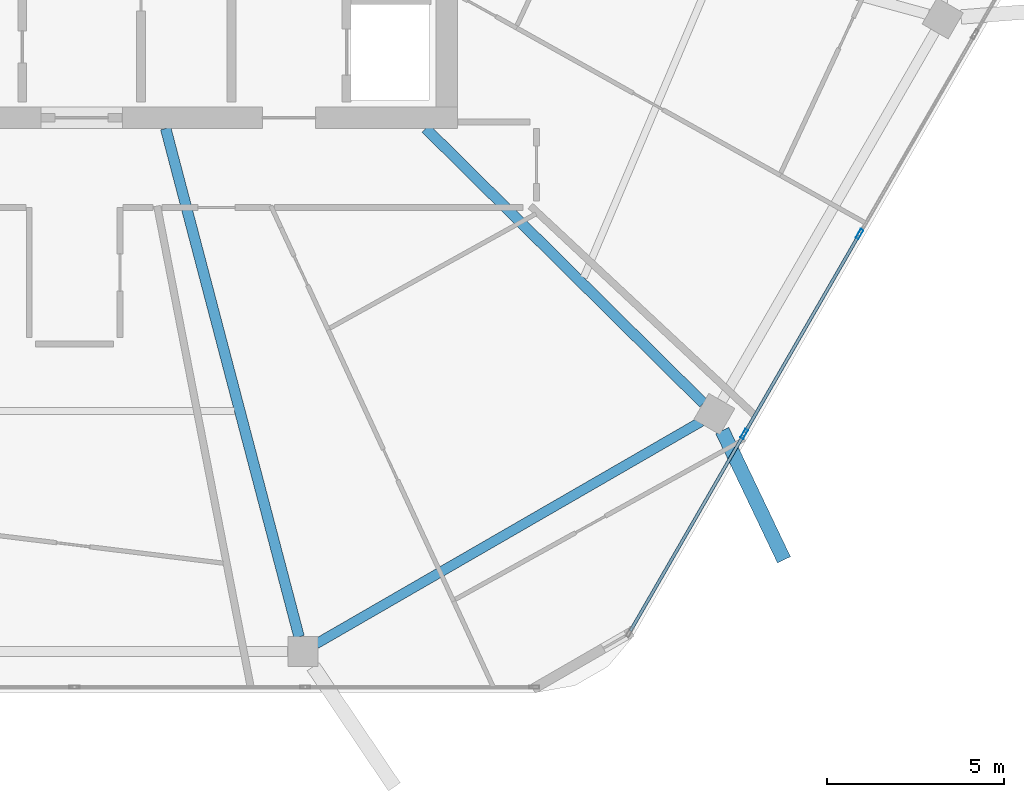
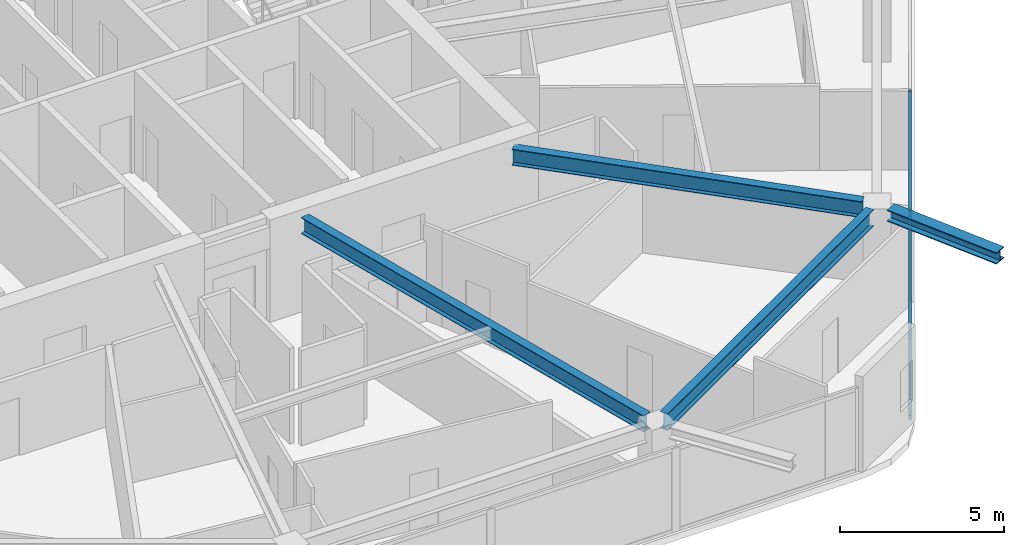
# One storey, part 8 of 26: 6 members, 4 beams, 1 element without a shape of its own.
"""IFC4 building model written with IfcOpenShell, lengths in metres."""

from ifc_helpers import new_model, si_unit, direction, frame, origin, origin_2d, place, context, subcontext, project, spatial, hollow_rectangle, i_section, extrude, material, material_profile, profile_set, type_object, element, aggregate, save


model = new_model("IFC4")

# Units and contexts
model_context = context("Model", 3, precision=1e-05, world=origin(), true_north=direction((0.0, 1.0)))
body_context = subcontext(model_context, "Body", "Model", "MODEL_VIEW")
ifc_project = project(units=[si_unit("LENGTHUNIT", "METRE"), si_unit("AREAUNIT", "SQUARE_METRE"), si_unit("VOLUMEUNIT", "CUBIC_METRE"), si_unit("PLANEANGLEUNIT", "RADIAN"), si_unit("MASSUNIT", "GRAM", prefix="KILO")], contexts=[model_context])

# Site, building, storey
site_placement = place(None, origin())
site = spatial("IfcSite", under=ifc_project, at=site_placement, CompositionType="ELEMENT")
building_placement = place(site_placement, origin())
building = spatial("IfcBuilding", under=site, at=building_placement, Name="Zuhravey Tower", CompositionType="ELEMENT")
storey_placement = place(building_placement, frame((0.0, 0.0, 273.0)))
storey = spatial("IfcBuildingStorey", under=building, at=storey_placement, Name="L69", CompositionType="ELEMENT", Elevation=273.0)

# Curtain wall, members
ifc_material_1 = material(Name="Thermally broken anodised aluminium", Category="aluminium")
curtain_wall_type = type_object("IfcCurtainWallType", Name="Zone 3-4 High-Rise Curtain Wall CW4", PredefinedType="NOTDEFINED", material=ifc_material_1)
curtain_wall_placement = place(storey_placement, origin())
curtain_wall = element("IfcCurtainWall", 1, at=curtain_wall_placement, inside=storey, type_object=curtain_wall_type, Name="L69 CW4 CW-L69-F6-1", PredefinedType="NOTDEFINED")
ifc_material_2 = material(Name="Anodised aluminium", Category="aluminium")
ifc_material_profile_1 = material_profile(ifc_material_2, hollow_rectangle(XDim=0.090087890625, YDim=0.284912109375, WallThickness=0.0048828125, at=origin_2d()), Name="ALU-RHS-90x285x5")
ifc_profile_set_1 = profile_set([ifc_material_profile_1], Name="Anodised aluminium")
member_type_1 = type_object("IfcMemberType", Name="Curtain-Wall Mullion 90x180", PredefinedType="MULLION", material=ifc_profile_set_1)
member_1_placement = place(storey_placement, frame((58.138671875, 19.21826171875, 0.0), z_axis=(0.0, 0.0, 1.0), x_axis=(0.866024851021, -0.500000957414, 0.0)))
member_1 = element("IfcMember", 2, at=member_1_placement, type_object=member_type_1, Name="CW4 mullion 3", PredefinedType="MULLION", context=body_context, shape_type="SweptSolid", body=[
    extrude(hollow_rectangle(XDim=0.090087890625, YDim=0.284912109375, WallThickness=0.0048828125, at=origin_2d()), origin(), (0.0, 0.0, 1.0), 3.1220703125),
])
member_2_placement = place(storey_placement, frame((54.885498046875, 13.58349609375, 0.0), z_axis=(0.0, 0.0, 1.0), x_axis=(0.866024851021, -0.500000957414, 0.0)))
member_2 = element("IfcMember", 3, at=member_2_placement, type_object=member_type_1, Name="CW4 mullion 4", PredefinedType="MULLION", context=body_context, shape_type="SweptSolid", body=[
    extrude(hollow_rectangle(XDim=0.090087890625, YDim=0.284912109375, WallThickness=0.0048828125, at=origin_2d()), origin(), (0.0, 0.0, 1.0), 3.1220703125),
])
ifc_material_profile_2 = material_profile(ifc_material_2, hollow_rectangle(XDim=0.090087890625, YDim=0.14990234375, WallThickness=0.0048828125, at=origin_2d()), Name="ALU-RHS-90x150x5")
ifc_profile_set_2 = profile_set([ifc_material_profile_2], Name="Anodised aluminium")
member_type_2 = type_object("IfcMemberType", Name="Curtain-Wall Transom 90x150", PredefinedType="USERDEFINED", material=ifc_profile_set_2)
member_3_placement = place(storey_placement, frame((58.1162109375, 19.17919921875, 0.044921875), z_axis=(-0.500014493347, -0.866017035885, 0.0), x_axis=(0.866017035885, -0.500014493347, 0.0)))
member_3 = element("IfcMember", 4, at=member_3_placement, type_object=member_type_2, Name="CW4 transom 3.1", ObjectType="TRANSOM", PredefinedType="USERDEFINED", context=body_context, shape_type="SweptSolid", body=[
    extrude(hollow_rectangle(XDim=0.090087890625, YDim=0.14990234375, WallThickness=0.0048828125, at=origin_2d()), origin(), (0.0, 0.0, 1.0), 6.416259765625),
])
member_4_placement = place(storey_placement, frame((58.1162109375, 19.17919921875, 3.076904296875), z_axis=(-0.500014493347, -0.866017035885, 0.0), x_axis=(0.866017035885, -0.500014493347, 0.0)))
member_4 = element("IfcMember", 5, at=member_4_placement, type_object=member_type_2, Name="CW4 transom 3.2", ObjectType="TRANSOM", PredefinedType="USERDEFINED", context=body_context, shape_type="SweptSolid", body=[
    extrude(hollow_rectangle(XDim=0.090087890625, YDim=0.14990234375, WallThickness=0.0048828125, at=origin_2d()), origin(), (0.0, 0.0, 1.0), 6.416259765625),
])
member_5_placement = place(storey_placement, frame((54.863037109375, 13.544677734375, 0.044921875), z_axis=(-0.499980071345, -0.866036909293, 0.0), x_axis=(0.866036909293, -0.499980071345, 0.0)))
member_5 = element("IfcMember", 6, at=member_5_placement, type_object=member_type_2, Name="CW4 transom 4.1", ObjectType="TRANSOM", PredefinedType="USERDEFINED", context=body_context, shape_type="SweptSolid", body=[
    extrude(hollow_rectangle(XDim=0.090087890625, YDim=0.14990234375, WallThickness=0.0048828125, at=origin_2d()), origin(), (0.0, 0.0, 1.0), 6.371337890625),
])
member_6_placement = place(storey_placement, frame((54.863037109375, 13.544677734375, 3.076904296875), z_axis=(-0.499980071345, -0.866036909293, 0.0), x_axis=(0.866036909293, -0.499980071345, 0.0)))
member_6 = element("IfcMember", 7, at=member_6_placement, type_object=member_type_2, Name="CW4 transom 4.2", ObjectType="TRANSOM", PredefinedType="USERDEFINED", context=body_context, shape_type="SweptSolid", body=[
    extrude(hollow_rectangle(XDim=0.090087890625, YDim=0.14990234375, WallThickness=0.0048828125, at=origin_2d()), origin(), (0.0, 0.0, 1.0), 6.371337890625),
])
aggregate(curtain_wall, [member_1, member_2, member_3, member_4, member_5, member_6])

# Beams
ifc_material_3 = material(Name="Steel SM460", Category="steel")
ifc_material_profile_3 = material_profile(ifc_material_3, i_section(OverallWidth=0.406982421875, OverallDepth=0.427978515625, WebThickness=0.02001953125, FlangeThickness=0.034912109375, at=origin_2d()), Name="H-428x407x20x35")
ifc_profile_set_3 = profile_set([ifc_material_profile_3], Name="Steel SM460")
beam_type_1 = type_object("IfcBeamType", Name="Exoskeleton Node Tie Beam H428x407", PredefinedType="BEAM", material=ifc_profile_set_3)
beam_1_placement = place(storey_placement, frame((54.267578125, 13.676513671875, 3.3359375), z_axis=(0.430986955836, -0.902358157219, 0.0), x_axis=(0.902358157219, 0.430986955836, 0.0)))
element("IfcBeam", 8, at=beam_1_placement, inside=storey, type_object=beam_type_1, Name="L69 Exoskeleton Node Tie NT1-11", PredefinedType="BEAM", context=body_context, shape_type="SweptSolid", body=[
    extrude(i_section(OverallWidth=0.406982421875, OverallDepth=0.427978515625, WebThickness=0.02001953125, FlangeThickness=0.034912109375, at=origin_2d()), origin(), (0.0, 0.0, 1.0), 4.038330078125),
])
ifc_material_4 = material(Name="Steel SM355", Category="steel")
ifc_material_profile_4 = material_profile(ifc_material_4, i_section(OverallWidth=0.280029296875, OverallDepth=0.6201171875, WebThickness=0.011962890625, FlangeThickness=0.02001953125, at=origin_2d()), Name="H-620x280x12x20")
ifc_profile_set_4 = profile_set([ifc_material_profile_4], Name="Steel SM355")
beam_type_2 = type_object("IfcBeamType", Name="Perimeter Ring Beam H620x280", PredefinedType="BEAM", material=ifc_profile_set_4)
beam_2_placement = place(storey_placement, frame((42.8115234375, 7.660400390625, 3.239990234375), z_axis=(0.866018312875, 0.500012281615, 0.0), x_axis=(-0.500012281615, 0.866018312875, 0.0)))
element("IfcBeam", 9, at=beam_2_placement, inside=storey, type_object=beam_type_2, Name="L69 PB3 BM-L69-PB-10", PredefinedType="BEAM", context=body_context, shape_type="SweptSolid", body=[
    extrude(i_section(OverallWidth=0.280029296875, OverallDepth=0.6201171875, WebThickness=0.011962890625, FlangeThickness=0.02001953125, at=origin_2d()), origin(), (0.0, 0.0, 1.0), 12.541748046875),
])
ifc_material_profile_5 = material_profile(ifc_material_4, i_section(OverallWidth=0.300048828125, OverallDepth=0.60009765625, WebThickness=0.011962890625, FlangeThickness=0.02001953125, at=origin_2d()), Name="H-600x300x12x20")
ifc_profile_set_5 = profile_set([ifc_material_profile_5], Name="Steel SM355")
beam_type_3 = type_object("IfcBeamType", Name="Radial Primary Girder H600x300", PredefinedType="BEAM", material=ifc_profile_set_5)
beam_3_placement = place(storey_placement, frame((38.571533203125, 22.197021484375, 3.25), z_axis=(0.25373188956, -0.967274587809, 0.0), x_axis=(0.967274587809, 0.25373188956, 0.0)))
element("IfcBeam", 10, at=beam_3_placement, inside=storey, type_object=beam_type_3, Name="L69 RG3 BM-L69-RAD-10", PredefinedType="BEAM", context=body_context, shape_type="SweptSolid", body=[
    extrude(i_section(OverallWidth=0.300048828125, OverallDepth=0.60009765625, WebThickness=0.011962890625, FlangeThickness=0.02001953125, at=origin_2d()), origin(), (0.0, 0.0, 1.0), 14.82177734375),
])
beam_4_placement = place(storey_placement, frame((45.90673828125, 22.197021484375, 3.25), z_axis=(0.710808169267, -0.70338591577, 0.0), x_axis=(0.70338591577, 0.710808169267, 0.0)))
element("IfcBeam", 11, at=beam_4_placement, inside=storey, type_object=beam_type_3, Name="L69 RG3 BM-L69-RAD-11", PredefinedType="BEAM", context=body_context, shape_type="SweptSolid", body=[
    extrude(i_section(OverallWidth=0.300048828125, OverallDepth=0.60009765625, WebThickness=0.011962890625, FlangeThickness=0.02001953125, at=origin_2d()), origin(), (0.0, 0.0, 1.0), 11.019287109375),
])

save(model, "model.ifc")
